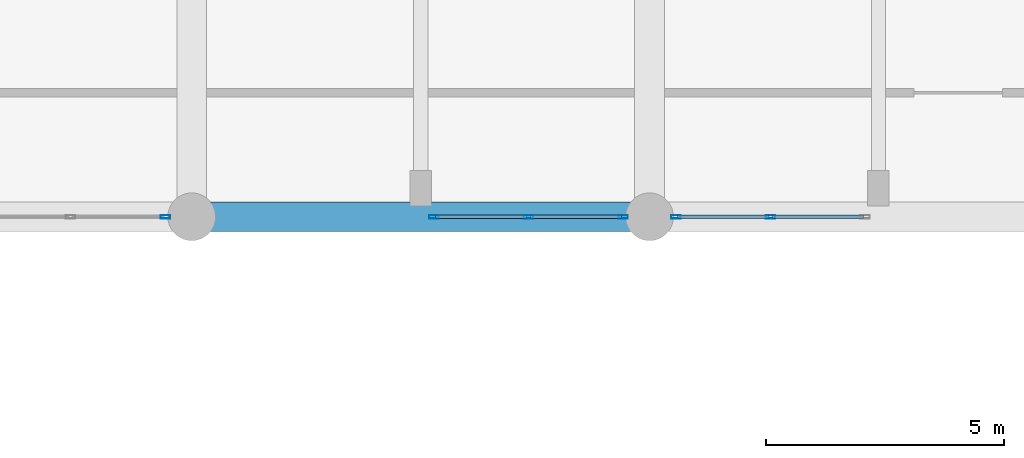
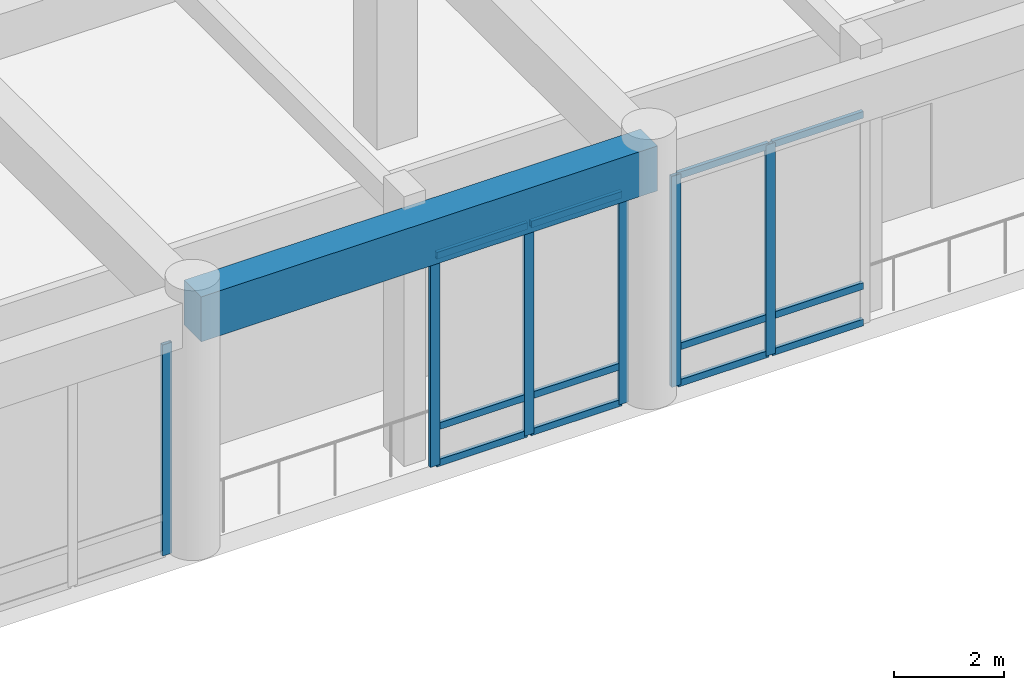
# One storey, part 31 of 87: 18 members, 1 beam, 3 elements without a shape of their own.
"""IFC4 building model written with IfcOpenShell, lengths in metres."""

import ifcopenshell
import ifcopenshell.guid

model = None  # the IFC model being written
_history = None  # IfcOwnerHistory: only IFC2X3 demands one
_inside = {}  # id of a spatial element -> (the spatial element, [elements in it])
_under = {}  # id of a project, library or spatial element -> (it, [spatial elements below it])
_declared = {}  # id of a project -> (the project, [libraries it declares])
_typed = {}  # id of a type object -> (the type object, [elements of that type])
_made_of = {}  # id of a material, layer set ... -> (it, [elements and type objects made of it])


def new_model(schema):
    """Start an empty IFC model of exactly this schema.

    Asked for "IFC4X3", IfcOpenShell would pick the latest addendum, in which some entities
    have other attributes; the version numbers below select the first issue.
    IFC2X3 requires an IfcOwnerHistory on every rooted entity: one is made here for all.
    """
    global model, _history
    if schema == "IFC4X3":
        model = ifcopenshell.file(schema_version=(4, 3, 0, 0))
    else:
        model = ifcopenshell.file(schema=schema)
    _inside.clear()
    _under.clear()
    _declared.clear()
    _typed.clear()
    _made_of.clear()
    _history = None
    if model.schema == "IFC2X3":
        org = make("IfcOrganization", Name="unknown")
        user = make(
            "IfcPersonAndOrganization",
            ThePerson=make("IfcPerson", FamilyName="unknown"),
            TheOrganization=org,
        )
        app = make(
            "IfcApplication",
            ApplicationDeveloper=org,
            Version="unknown",
            ApplicationFullName="unknown",
            ApplicationIdentifier="unknown",
        )
        _history = make(
            "IfcOwnerHistory",
            OwningUser=user,
            OwningApplication=app,
            ChangeAction="ADDED",
            CreationDate=0,
        )
    return model


def make(cls, **values):
    """One entity of the class cls with the attributes given. An attribute that is None is left unset."""
    return model.create_entity(
        cls, **{name: value for name, value in values.items() if value is not None}
    )


def rooted(cls, **values):
    """An entity with a GlobalId (a new one), such as an element, a storey or a relation."""
    return make(cls, GlobalId=ifcopenshell.guid.new(), OwnerHistory=_history, **values)


def si_unit(unit_type, name, prefix=None):
    """IfcSIUnit, for example si_unit("LENGTHUNIT", "METRE", prefix="MILLI")."""
    return make("IfcSIUnit", UnitType=unit_type, Prefix=prefix, Name=name)


def assignment(units):
    """IfcUnitAssignment: the units of a project."""
    return None if units is None else make("IfcUnitAssignment", Units=units)


def point(xyz):
    """IfcCartesianPoint."""
    return None if xyz is None else make("IfcCartesianPoint", Coordinates=xyz)


def direction(xyz):
    """IfcDirection."""
    return None if xyz is None else make("IfcDirection", DirectionRatios=xyz)


def frame(location, z_axis=None, x_axis=None):
    """IfcAxis2Placement3D, a coordinate frame: its origin and axes. An axis left out is left unset."""
    return make(
        "IfcAxis2Placement3D",
        Location=point(location),
        Axis=direction(z_axis),
        RefDirection=direction(x_axis),
    )


def frame_2d(location, x_axis=None):
    """IfcAxis2Placement2D, a coordinate frame in the plane: its origin and x axis."""
    return make(
        "IfcAxis2Placement2D", Location=point(location), RefDirection=direction(x_axis)
    )


def origin():
    """The frame at (0, 0, 0) with its axes left unset."""
    return frame((0.0, 0.0, 0.0))


def origin_2d():
    """The frame at (0, 0) in the plane with its x axis left unset."""
    return frame_2d((0.0, 0.0))


def place(relative_to, where):
    """IfcLocalPlacement: puts the frame where relative to a parent placement (None: the world)."""
    return make(
        "IfcLocalPlacement", PlacementRelTo=relative_to, RelativePlacement=where
    )


def context(
    kind, dimensions, precision=None, world=None, true_north=None, identifier=None
):
    """IfcGeometricRepresentationContext, for example the 3D "Model" context."""
    return make(
        "IfcGeometricRepresentationContext",
        ContextIdentifier=identifier,
        ContextType=kind,
        CoordinateSpaceDimension=dimensions,
        Precision=precision,
        WorldCoordinateSystem=world,
        TrueNorth=true_north,
    )


def subcontext(parent, identifier, kind, view, scale=None):
    """IfcGeometricRepresentationSubContext, for example "Body" below "Model"."""
    return make(
        "IfcGeometricRepresentationSubContext",
        ContextIdentifier=identifier,
        ContextType=kind,
        ParentContext=parent,
        TargetScale=scale,
        TargetView=view,
    )


def project(units=None, contexts=None):
    """IfcProject with its units and contexts."""
    return rooted(
        "IfcProject",
        Name="project",
        RepresentationContexts=contexts,
        UnitsInContext=assignment(units),
    )


def spatial(cls, under=None, at=None, **own):
    """A site, building, storey or space (cls), placed at a placement, below another one or the project."""
    s = rooted(cls, ObjectPlacement=at, **own)
    if under is not None:
        _under.setdefault(under.id(), (under, []))[1].append(s)
    return s


def profile(cls, at=None, kind="AREA", **sizes):
    """A parametric profile (cls). Its sizes go by their IFC names, for example OverallWidth=200.0."""
    return make(cls, ProfileType=kind, Position=at, **sizes)


def rectangle(**sizes):
    """IfcRectangleProfileDef."""
    return profile("IfcRectangleProfileDef", **sizes)


def hollow_rectangle(**sizes):
    """IfcRectangleHollowProfileDef."""
    return profile("IfcRectangleHollowProfileDef", **sizes)


def extrude(swept, where, along, depth):
    """IfcExtrudedAreaSolid: the profile swept, set in the frame where, extruded along a direction by depth."""
    return make(
        "IfcExtrudedAreaSolid",
        SweptArea=swept,
        Position=where,
        ExtrudedDirection=direction(along),
        Depth=depth,
    )


def shape(context_of_items, identifier, shape_type, items):
    """IfcShapeRepresentation: the items that make up one representation, for example the "Body"."""
    return make(
        "IfcShapeRepresentation",
        ContextOfItems=context_of_items,
        RepresentationIdentifier=identifier,
        RepresentationType=shape_type,
        Items=items,
    )


def material(Name=None, Category=None):
    """IfcMaterial."""
    return make("IfcMaterial", Name=Name, Category=Category)


def layer(
    of_material, thickness, ventilated=None, Name=None, Category=None, Priority=None
):
    """IfcMaterialLayer: one layer of a wall or slab, of a material (None: an air gap)."""
    return make(
        "IfcMaterialLayer",
        Material=of_material,
        LayerThickness=thickness,
        IsVentilated=ventilated,
        Name=Name,
        Category=Category,
        Priority=Priority,
    )


def layer_set(layers, Name=None):
    """IfcMaterialLayerSet."""
    return make("IfcMaterialLayerSet", MaterialLayers=layers, LayerSetName=Name)


def material_profile(
    of_material, cross_section, Name=None, Category=None, Priority=None
):
    """IfcMaterialProfile: a cross section and its material."""
    return make(
        "IfcMaterialProfile",
        Name=Name,
        Material=of_material,
        Profile=cross_section,
        Priority=Priority,
        Category=Category,
    )


def profile_set(profiles, Name=None, composite=None):
    """IfcMaterialProfileSet."""
    return make(
        "IfcMaterialProfileSet",
        Name=Name,
        MaterialProfiles=profiles,
        CompositeProfile=composite,
    )


def made_of(thing, what):
    """Note that an element or type object is made of a material, layer set ...; save() writes the relation."""
    if what is not None:
        _made_of.setdefault(what.id(), (what, []))[1].append(thing)
    return thing


def type_object(cls, material=None, **own):
    """A type object (cls), such as IfcWallType, which elements share."""
    return made_of(rooted(cls, **own), material)


def element(
    cls,
    number,
    at=None,
    inside=None,
    cuts=None,
    type_object=None,
    material=None,
    context=None,
    identifier="Body",
    shape_type=None,
    held_by="IfcProductDefinitionShape",
    body=None,
    shapes=None,
    **own,
):
    """One element of the class cls, such as IfcWall. Its Tag is "e" and its number.

    at: its placement. inside: the storey or other place that contains it. cuts: it is an
    opening in that element (IfcRelVoidsElement). A single representation is given by context,
    identifier, shape_type and body (its items); several are given by shapes. held_by: the class
    of the entity that holds the representations. save() writes the other relations.
    """
    e = rooted(cls, Tag="e%d" % number, ObjectPlacement=at, **own)
    if body is not None:
        shapes = [shape(context, identifier, shape_type, body)]
    if shapes is not None:
        e.Representation = make(held_by, Representations=shapes)
    if inside is not None:
        _inside.setdefault(inside.id(), (inside, []))[1].append(e)
    if cuts is not None:
        rooted(
            "IfcRelVoidsElement", RelatingBuildingElement=cuts, RelatedOpeningElement=e
        )
    if type_object is not None:
        _typed.setdefault(type_object.id(), (type_object, []))[1].append(e)
    return made_of(e, material)


def aggregate(whole, parts):
    """IfcRelAggregates: a whole, such as a stair, and the parts it consists of."""
    return rooted("IfcRelAggregates", RelatingObject=whole, RelatedObjects=parts)


def save(model, path):
    """Write the relations noted so far, then the file.

    IfcRelAggregates (storeys below a building ...), IfcRelContainedInSpatialStructure (elements
    in a storey), IfcRelDefinesByType, IfcRelAssociatesMaterial and IfcRelDeclares: one each for
    every whole, place, type object, material and project.
    """
    for whole, parts in _under.values():
        aggregate(whole, parts)
    for where, things in _inside.values():
        rooted(
            "IfcRelContainedInSpatialStructure",
            RelatedElements=things,
            RelatingStructure=where,
        )
    for kind, things in _typed.values():
        rooted("IfcRelDefinesByType", RelatedObjects=things, RelatingType=kind)
    for what, things in _made_of.values():
        rooted("IfcRelAssociatesMaterial", RelatedObjects=things, RelatingMaterial=what)
    for by, libraries in _declared.values():
        rooted("IfcRelDeclares", RelatingContext=by, RelatedDefinitions=libraries)
    model.write(path)


model = new_model("IFC4")

# Units and contexts
model_context = context("Model", 3, precision=1e-05, world=origin(), true_north=direction((0.0, 1.0)))
body_context = subcontext(model_context, "Body", "Model", "MODEL_VIEW")
ifc_project = project(units=[si_unit("LENGTHUNIT", "METRE"), si_unit("AREAUNIT", "SQUARE_METRE"), si_unit("VOLUMEUNIT", "CUBIC_METRE"), si_unit("PLANEANGLEUNIT", "RADIAN"), si_unit("MASSUNIT", "GRAM", prefix="KILO")], contexts=[model_context])

# Site, building, storey
site_placement = place(None, origin())
site = spatial("IfcSite", under=ifc_project, at=site_placement, CompositionType="ELEMENT")
building_placement = place(site_placement, origin())
building = spatial("IfcBuilding", under=site, at=building_placement, Name="Nakhvara Creek Congress Hotel", CompositionType="ELEMENT")
storey_placement = place(building_placement, origin())
storey = spatial("IfcBuildingStorey", under=building, at=storey_placement, Name="L00", CompositionType="ELEMENT", Elevation=0.0)

# Beam
ifc_material_1 = material(Name="Concrete C50/60", Category="concrete")
ifc_material_profile_1 = material_profile(ifc_material_1, rectangle(XDim=0.6201171875, YDim=1.0, at=origin_2d()), Name="RC-BM 620x1000", Category="LoadBearing")
ifc_profile_set_1 = profile_set([ifc_material_profile_1], Name="Concrete C50/60")
beam_type = type_object("IfcBeamType", Name="BM-RC-620X1000", PredefinedType="BEAM", material=ifc_profile_set_1)
beam_placement = place(storey_placement, frame((96.0, 76.800048828125, 5.199951171875), z_axis=(1.0, 0.0, 0.0), x_axis=(0.0, 1.0, 0.0)))
element("IfcBeam", 1, at=beam_placement, inside=storey, type_object=beam_type, Name="Beam B16-L00-0851", PredefinedType="BEAM", context=body_context, shape_type="SweptSolid", body=[
    extrude(rectangle(XDim=0.6201171875, YDim=1.0, at=origin_2d()), origin(), (0.0, 0.0, 1.0), 9.60009765625),
])

# Curtain wall, member
ifc_material_2 = material(Name="Bronze-anodised aluminium AW-6063-T6 and double-silver low-E glass", Category="aluminium")
ifc_layer = layer(ifc_material_2, 0.199951171875)
ifc_layer_set = layer_set([ifc_layer], Name="Bronze-anodised aluminium AW-6063-T6 and double-silver low-E glass")
curtain_wall_type = type_object("IfcCurtainWallType", Name="CW-POD-STICK", PredefinedType="NOTDEFINED", material=ifc_layer_set)
curtain_wall_1_placement = place(storey_placement, origin())
curtain_wall_1 = element("IfcCurtainWall", 2, at=curtain_wall_1_placement, inside=storey, type_object=curtain_wall_type, Name="Curtain Wall CW004", PredefinedType="NOTDEFINED")
ifc_material_3 = material(Name="Bronze-anodised aluminium AW-6063-T6", Category="aluminium")
ifc_material_profile_2 = material_profile(ifc_material_3, hollow_rectangle(XDim=0.074951171875, YDim=0.199951171875, WallThickness=0.0048828125, at=origin_2d()), Name="ALU-MULL 75x200x5", Category="LoadBearing")
ifc_profile_set_2 = profile_set([ifc_material_profile_2], Name="Bronze-anodised aluminium AW-6063-T6")
member_type_1 = type_object("IfcMemberType", Name="CW-MULL-200", PredefinedType="MULLION", material=ifc_profile_set_2)
member_1_placement = place(storey_placement, frame((95.447509765625, 76.800048828125, 0.0), z_axis=(0.0, 0.0, 1.0), x_axis=(0.0, -1.0, 0.0)))
member_1 = element("IfcMember", 3, at=member_1_placement, type_object=member_type_1, Name="CW004 mullion 1", PredefinedType="MULLION", context=body_context, shape_type="SweptSolid", body=[
    extrude(hollow_rectangle(XDim=0.074951171875, YDim=0.199951171875, WallThickness=0.0048828125, at=origin_2d()), origin(), (0.0, 0.0, 1.0), 4.69189453125),
])
aggregate(curtain_wall_1, [member_1])

# Curtain wall, members
curtain_wall_2_placement = place(storey_placement, origin())
curtain_wall_2 = element("IfcCurtainWall", 4, at=curtain_wall_2_placement, inside=storey, type_object=curtain_wall_type, Name="Curtain Wall CW006", PredefinedType="NOTDEFINED")
member_2_placement = place(storey_placement, frame((105.047607421875, 76.800048828125, 0.0), z_axis=(0.0, 0.0, 1.0), x_axis=(0.0, -1.0, 0.0)))
member_2 = element("IfcMember", 5, at=member_2_placement, type_object=member_type_1, Name="CW006 mullion 1", PredefinedType="MULLION", context=body_context, shape_type="SweptSolid", body=[
    extrude(hollow_rectangle(XDim=0.074951171875, YDim=0.199951171875, WallThickness=0.0048828125, at=origin_2d()), origin(), (0.0, 0.0, 1.0), 4.69189453125),
])
member_3_placement = place(storey_placement, frame((103.0625, 76.800048828125, 0.0), z_axis=(0.0, 0.0, 1.0), x_axis=(0.0, -1.0, 0.0)))
member_3 = element("IfcMember", 6, at=member_3_placement, type_object=member_type_1, Name="CW006 mullion 2", PredefinedType="MULLION", context=body_context, shape_type="SweptSolid", body=[
    extrude(hollow_rectangle(XDim=0.074951171875, YDim=0.199951171875, WallThickness=0.0048828125, at=origin_2d()), origin(), (0.0, 0.0, 1.0), 4.69189453125),
])
member_4_placement = place(storey_placement, frame((101.077392578125, 76.800048828125, 0.0), z_axis=(0.0, 0.0, 1.0), x_axis=(0.0, -1.0, 0.0)))
member_4 = element("IfcMember", 7, at=member_4_placement, type_object=member_type_1, Name="CW006 mullion 3", PredefinedType="MULLION", context=body_context, shape_type="SweptSolid", body=[
    extrude(hollow_rectangle(XDim=0.074951171875, YDim=0.199951171875, WallThickness=0.0048828125, at=origin_2d()), origin(), (0.0, 0.0, 1.0), 4.69189453125),
])

curtain_wall_3_placement = place(storey_placement, origin())
curtain_wall_3 = element("IfcCurtainWall", 8, at=curtain_wall_3_placement, inside=storey, type_object=curtain_wall_type, Name="Curtain Wall CW008", PredefinedType="NOTDEFINED")
member_5_placement = place(storey_placement, frame((108.137451171875, 76.800048828125, 0.0), z_axis=(0.0, 0.0, 1.0), x_axis=(0.0, -1.0, 0.0)))
member_5 = element("IfcMember", 9, at=member_5_placement, type_object=member_type_1, Name="CW008 mullion 2", PredefinedType="MULLION", context=body_context, shape_type="SweptSolid", body=[
    extrude(hollow_rectangle(XDim=0.074951171875, YDim=0.199951171875, WallThickness=0.0048828125, at=origin_2d()), origin(), (0.0, 0.0, 1.0), 4.69189453125),
])
member_6_placement = place(storey_placement, frame((106.152587890625, 76.800048828125, 0.0), z_axis=(0.0, 0.0, 1.0), x_axis=(0.0, -1.0, 0.0)))
member_6 = element("IfcMember", 10, at=member_6_placement, type_object=member_type_1, Name="CW008 mullion 3", PredefinedType="MULLION", context=body_context, shape_type="SweptSolid", body=[
    extrude(hollow_rectangle(XDim=0.074951171875, YDim=0.199951171875, WallThickness=0.0048828125, at=origin_2d()), origin(), (0.0, 0.0, 1.0), 4.69189453125),
])

# Member
ifc_material_profile_3 = material_profile(ifc_material_3, hollow_rectangle(XDim=0.074951171875, YDim=0.14990234375, WallThickness=0.00390625, at=origin_2d()), Name="ALU-TRAN 75x150x4", Category="LoadBearing")
ifc_profile_set_3 = profile_set([ifc_material_profile_3], Name="Bronze-anodised aluminium AW-6063-T6")
member_type_2 = type_object("IfcMemberType", Name="CW-TRAN-150", PredefinedType="USERDEFINED", material=ifc_profile_set_3)
member_7_placement = place(storey_placement, frame((105.010009765625, 76.800048828125, 0.03759765625), z_axis=(-1.0, 0.0, 0.0), x_axis=(0.0, -1.0, 0.0)))
member_7 = element("IfcMember", 11, at=member_7_placement, type_object=member_type_2, Name="CW006 transom 1.1", ObjectType="TRANSOM", PredefinedType="USERDEFINED", context=body_context, shape_type="SweptSolid", body=[
    extrude(hollow_rectangle(XDim=0.074951171875, YDim=0.14990234375, WallThickness=0.00390625, at=origin_2d()), origin(), (0.0, 0.0, 1.0), 1.909912109375),
])

member_8_placement = place(storey_placement, frame((105.010009765625, 76.800048828125, 0.85009765625), z_axis=(-1.0, 0.0, 0.0), x_axis=(0.0, -1.0, 0.0)))
member_8 = element("IfcMember", 12, at=member_8_placement, type_object=member_type_2, Name="CW006 transom 1.2", ObjectType="TRANSOM", PredefinedType="USERDEFINED", context=body_context, shape_type="SweptSolid", body=[
    extrude(hollow_rectangle(XDim=0.074951171875, YDim=0.14990234375, WallThickness=0.00390625, at=origin_2d()), origin(), (0.0, 0.0, 1.0), 1.909912109375),
])

member_9_placement = place(storey_placement, frame((105.010009765625, 76.800048828125, 4.654541015625), z_axis=(-1.0, 0.0, 0.0), x_axis=(0.0, -1.0, 0.0)))
member_9 = element("IfcMember", 13, at=member_9_placement, type_object=member_type_2, Name="CW006 transom 1.3", ObjectType="TRANSOM", PredefinedType="USERDEFINED", context=body_context, shape_type="SweptSolid", body=[
    extrude(hollow_rectangle(XDim=0.074951171875, YDim=0.14990234375, WallThickness=0.00390625, at=origin_2d()), origin(), (0.0, 0.0, 1.0), 1.909912109375),
])

member_10_placement = place(storey_placement, frame((103.02490234375, 76.800048828125, 0.03759765625), z_axis=(-1.0, 0.0, 0.0), x_axis=(0.0, -1.0, 0.0)))
member_10 = element("IfcMember", 14, at=member_10_placement, type_object=member_type_2, Name="CW006 transom 2.1", ObjectType="TRANSOM", PredefinedType="USERDEFINED", context=body_context, shape_type="SweptSolid", body=[
    extrude(hollow_rectangle(XDim=0.074951171875, YDim=0.14990234375, WallThickness=0.00390625, at=origin_2d()), origin(), (0.0, 0.0, 1.0), 1.909912109375),
])

member_11_placement = place(storey_placement, frame((103.02490234375, 76.800048828125, 0.85009765625), z_axis=(-1.0, 0.0, 0.0), x_axis=(0.0, -1.0, 0.0)))
member_11 = element("IfcMember", 15, at=member_11_placement, type_object=member_type_2, Name="CW006 transom 2.2", ObjectType="TRANSOM", PredefinedType="USERDEFINED", context=body_context, shape_type="SweptSolid", body=[
    extrude(hollow_rectangle(XDim=0.074951171875, YDim=0.14990234375, WallThickness=0.00390625, at=origin_2d()), origin(), (0.0, 0.0, 1.0), 1.909912109375),
])

member_12_placement = place(storey_placement, frame((103.02490234375, 76.800048828125, 4.654541015625), z_axis=(-1.0, 0.0, 0.0), x_axis=(0.0, -1.0, 0.0)))
member_12 = element("IfcMember", 16, at=member_12_placement, type_object=member_type_2, Name="CW006 transom 2.3", ObjectType="TRANSOM", PredefinedType="USERDEFINED", context=body_context, shape_type="SweptSolid", body=[
    extrude(hollow_rectangle(XDim=0.074951171875, YDim=0.14990234375, WallThickness=0.00390625, at=origin_2d()), origin(), (0.0, 0.0, 1.0), 1.909912109375),
])

aggregate(curtain_wall_2, [member_2, member_3, member_4, member_7, member_8, member_9, member_10, member_11, member_12])

member_13_placement = place(storey_placement, frame((110.0849609375, 76.800048828125, 0.03759765625), z_axis=(-1.0, 0.0, 0.0), x_axis=(0.0, -1.0, 0.0)))
member_13 = element("IfcMember", 17, at=member_13_placement, type_object=member_type_2, Name="CW008 transom 1.1", ObjectType="TRANSOM", PredefinedType="USERDEFINED", context=body_context, shape_type="SweptSolid", body=[
    extrude(hollow_rectangle(XDim=0.074951171875, YDim=0.14990234375, WallThickness=0.00390625, at=origin_2d()), origin(), (0.0, 0.0, 1.0), 1.909912109375),
])

member_14_placement = place(storey_placement, frame((110.0849609375, 76.800048828125, 0.85009765625), z_axis=(-1.0, 0.0, 0.0), x_axis=(0.0, -1.0, 0.0)))
member_14 = element("IfcMember", 18, at=member_14_placement, type_object=member_type_2, Name="CW008 transom 1.2", ObjectType="TRANSOM", PredefinedType="USERDEFINED", context=body_context, shape_type="SweptSolid", body=[
    extrude(hollow_rectangle(XDim=0.074951171875, YDim=0.14990234375, WallThickness=0.00390625, at=origin_2d()), origin(), (0.0, 0.0, 1.0), 1.909912109375),
])

member_15_placement = place(storey_placement, frame((110.0849609375, 76.800048828125, 4.654541015625), z_axis=(-1.0, 0.0, 0.0), x_axis=(0.0, -1.0, 0.0)))
member_15 = element("IfcMember", 19, at=member_15_placement, type_object=member_type_2, Name="CW008 transom 1.3", ObjectType="TRANSOM", PredefinedType="USERDEFINED", context=body_context, shape_type="SweptSolid", body=[
    extrude(hollow_rectangle(XDim=0.074951171875, YDim=0.14990234375, WallThickness=0.00390625, at=origin_2d()), origin(), (0.0, 0.0, 1.0), 1.909912109375),
])

member_16_placement = place(storey_placement, frame((108.10009765625, 76.800048828125, 0.03759765625), z_axis=(-1.0, 0.0, 0.0), x_axis=(0.0, -1.0, 0.0)))
member_16 = element("IfcMember", 20, at=member_16_placement, type_object=member_type_2, Name="CW008 transom 2.1", ObjectType="TRANSOM", PredefinedType="USERDEFINED", context=body_context, shape_type="SweptSolid", body=[
    extrude(hollow_rectangle(XDim=0.074951171875, YDim=0.14990234375, WallThickness=0.00390625, at=origin_2d()), origin(), (0.0, 0.0, 1.0), 1.91015625),
])

member_17_placement = place(storey_placement, frame((108.10009765625, 76.800048828125, 0.85009765625), z_axis=(-1.0, 0.0, 0.0), x_axis=(0.0, -1.0, 0.0)))
member_17 = element("IfcMember", 21, at=member_17_placement, type_object=member_type_2, Name="CW008 transom 2.2", ObjectType="TRANSOM", PredefinedType="USERDEFINED", context=body_context, shape_type="SweptSolid", body=[
    extrude(hollow_rectangle(XDim=0.074951171875, YDim=0.14990234375, WallThickness=0.00390625, at=origin_2d()), origin(), (0.0, 0.0, 1.0), 1.91015625),
])

member_18_placement = place(storey_placement, frame((108.10009765625, 76.800048828125, 4.654541015625), z_axis=(-1.0, 0.0, 0.0), x_axis=(0.0, -1.0, 0.0)))
member_18 = element("IfcMember", 22, at=member_18_placement, type_object=member_type_2, Name="CW008 transom 2.3", ObjectType="TRANSOM", PredefinedType="USERDEFINED", context=body_context, shape_type="SweptSolid", body=[
    extrude(hollow_rectangle(XDim=0.074951171875, YDim=0.14990234375, WallThickness=0.00390625, at=origin_2d()), origin(), (0.0, 0.0, 1.0), 1.91015625),
])

aggregate(curtain_wall_3, [member_5, member_6, member_13, member_14, member_15, member_16, member_17, member_18])

save(model, "model.ifc")
